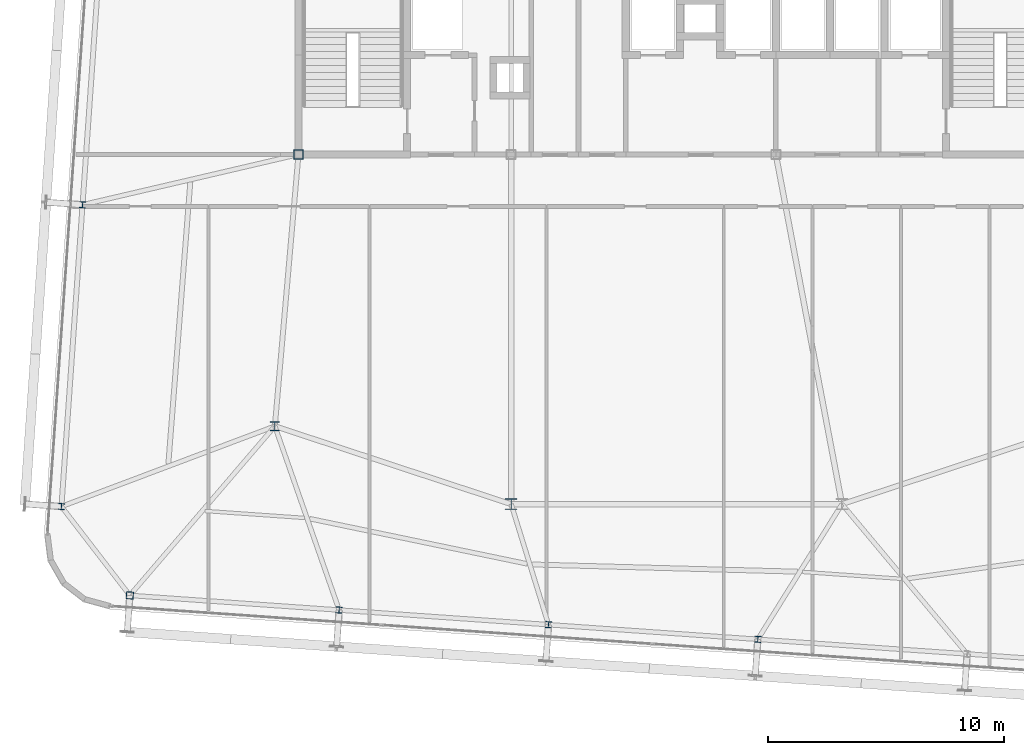
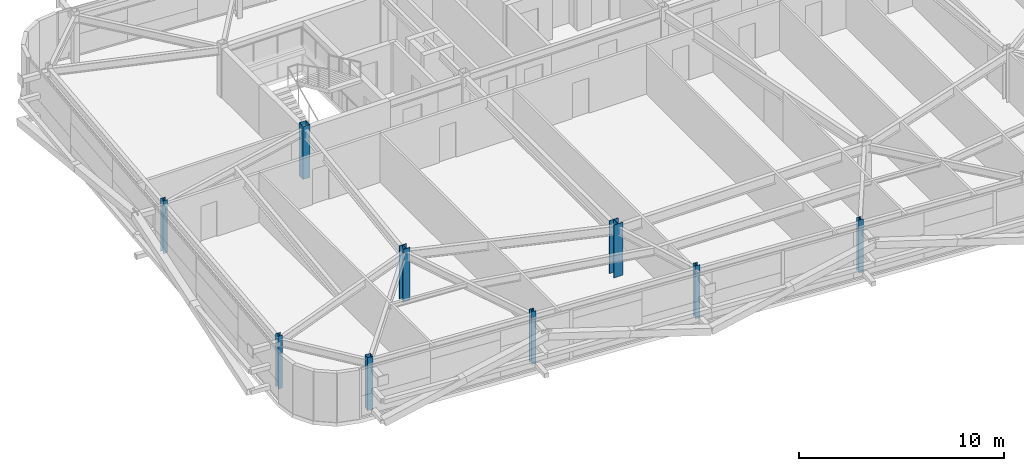
# One storey, part 1 of 39: 9 columns.
"""IFC4 building model written with IfcOpenShell, lengths in metres."""

from ifc_helpers import new_model, si_unit, direction, frame, origin, origin_2d, place, context, subcontext, project, spatial, hollow_rectangle, i_section, extrude, source, transform, mapped, material, material_profile, profile_set, type_object, element, save


model = new_model("IFC4")

# Units and contexts
model_context = context("Model", 3, precision=1e-05, world=origin(), true_north=direction((0.0, 1.0)))
body_context = subcontext(model_context, "Body", "Model", "MODEL_VIEW")
ifc_project = project(units=[si_unit("LENGTHUNIT", "METRE"), si_unit("AREAUNIT", "SQUARE_METRE"), si_unit("VOLUMEUNIT", "CUBIC_METRE"), si_unit("PLANEANGLEUNIT", "RADIAN"), si_unit("MASSUNIT", "GRAM", prefix="KILO")], contexts=[model_context])

# Site, building, storey
site_placement = place(None, origin())
site = spatial("IfcSite", under=ifc_project, at=site_placement, CompositionType="ELEMENT")
building_placement = place(site_placement, origin())
building = spatial("IfcBuilding", under=site, at=building_placement, Name="Taldren Reach Tower", CompositionType="ELEMENT")
storey_placement = place(building_placement, frame((0.0, 0.0, 133.0)))
storey = spatial("IfcBuildingStorey", under=building, at=storey_placement, Name="L40", CompositionType="ELEMENT", Elevation=133.0)

# Columns
ifc_material_1 = material(Name="Steel Gr 350 (350PLUS)", Category="steel")
ifc_material_profile_1 = material_profile(ifc_material_1, i_section(OverallWidth=0.39990234375, OverallDepth=0.39599609375, WebThickness=0.02197265625, FlangeThickness=0.033935546875, at=origin_2d()), Name="400WC270")
ifc_profile_set_1 = profile_set([ifc_material_profile_1], Name="Steel Gr 350 (350PLUS)")
column_type_1 = type_object("IfcColumnType", Name="COL-WC400", PredefinedType="COLUMN", material=ifc_profile_set_1)
shared_shape_1 = source(origin(), body_context, "Body", "SweptSolid", [
    extrude(i_section(OverallWidth=0.39990234375, OverallDepth=0.39599609375, WebThickness=0.02197265625, FlangeThickness=0.033935546875, at=origin_2d()), origin(), (0.0, 0.0, 1.0), 3.14990234375),
])
column_1_placement = place(storey_placement, frame((18.0, 12.5, 0.0), z_axis=(0.0, 0.0, 1.0), x_axis=(1.0, 0.0, 0.0)))
element("IfcColumn", 1, at=column_1_placement, inside=storey, type_object=column_type_1, Name="Mega column MC-SW L40", PredefinedType="COLUMN", context=body_context, shape_type="MappedRepresentation", body=[
    mapped(shared_shape_1, transform((0.0, 0.0, 0.0), scale=1.0)),
])
ifc_material_profile_2 = material_profile(ifc_material_1, i_section(OverallWidth=0.5, OverallDepth=0.464111328125, WebThickness=0.02197265625, FlangeThickness=0.033935546875, at=origin_2d()), Name="500WC340")
ifc_profile_set_2 = profile_set([ifc_material_profile_2], Name="Steel Gr 350 (350PLUS)")
column_type_2 = type_object("IfcColumnType", Name="COL-WC500B", PredefinedType="COLUMN", material=ifc_profile_set_2)
shared_shape_2 = source(origin(), body_context, "Body", "SweptSolid", [
    extrude(i_section(OverallWidth=0.5, OverallDepth=0.464111328125, WebThickness=0.02197265625, FlangeThickness=0.033935546875, at=origin_2d()), origin(), (0.0, 0.0, 1.0), 3.14990234375),
])
column_2_placement = place(storey_placement, frame((28.0, 9.199951171875, 0.0), z_axis=(0.0, 0.0, 1.0), x_axis=(1.0, 0.0, 0.0)))
element("IfcColumn", 2, at=column_2_placement, inside=storey, type_object=column_type_2, Name="Mega column MC-PJW L40", PredefinedType="COLUMN", context=body_context, shape_type="MappedRepresentation", body=[
    mapped(shared_shape_2, transform((0.0, 0.0, 0.0), scale=1.0)),
])
ifc_material_2 = material(Name="Steel Gr 450 (C450L0)", Category="steel")
ifc_material_profile_3 = material_profile(ifc_material_2, hollow_rectangle(XDim=0.39990234375, YDim=0.39990234375, WallThickness=0.01611328125, at=origin_2d()), Name="400x400x16.0SHS")
ifc_profile_set_3 = profile_set([ifc_material_profile_3], Name="Steel Gr 450 (C450L0)")
column_type_3 = type_object("IfcColumnType", Name="COL-SHS400", PredefinedType="COLUMN", material=ifc_profile_set_3)
shared_shape_3 = source(origin(), body_context, "Body", "SweptSolid", [
    extrude(hollow_rectangle(XDim=0.39990234375, YDim=0.39990234375, WallThickness=0.01611328125, at=origin_2d()), origin(), (0.0, 0.0, 1.0), 3.14990234375),
])
column_3_placement = place(storey_placement, frame((19.0, 24.0, 0.0), z_axis=(0.0, 0.0, 1.0), x_axis=(1.0, 0.0, 0.0)))
element("IfcColumn", 3, at=column_3_placement, inside=storey, type_object=column_type_3, Name="Mega column MC-C1 L40", PredefinedType="COLUMN", context=body_context, shape_type="MappedRepresentation", body=[
    mapped(shared_shape_3, transform((0.0, 0.0, 0.0), scale=1.0)),
])
ifc_material_profile_4 = material_profile(ifc_material_2, hollow_rectangle(XDim=0.300048828125, YDim=0.300048828125, WallThickness=0.012451171875, at=origin_2d()), Name="300x300x12.5SHS")
ifc_profile_set_4 = profile_set([ifc_material_profile_4], Name="Steel Gr 450 (C450L0)")
column_type_4 = type_object("IfcColumnType", Name="COL-SHS300", PredefinedType="COLUMN", material=ifc_profile_set_4)
shared_shape_4 = source(origin(), body_context, "Body", "SweptSolid", [
    extrude(hollow_rectangle(XDim=0.300048828125, YDim=0.300048828125, WallThickness=0.012451171875, at=origin_2d()), origin(), (0.0, 0.0, 1.0), 3.14990234375),
])
column_4_placement = place(storey_placement, frame((11.863525390625, 5.33837890625, 0.0), z_axis=(0.0, 0.0, 1.0), x_axis=(0.99756405026, -0.069756473744, 0.0)))
element("IfcColumn", 4, at=column_4_placement, inside=storey, type_object=column_type_4, Name="Block B3 perimeter column S1 L40", PredefinedType="COLUMN", context=body_context, shape_type="MappedRepresentation", body=[
    mapped(shared_shape_4, transform((0.0, 0.0, 0.0), scale=1.0)),
])
ifc_material_profile_5 = material_profile(ifc_material_1, i_section(OverallWidth=0.256103515625, OverallDepth=0.260009765625, WebThickness=0.010498046875, FlangeThickness=0.017333984375, at=origin_2d()), Name="250UC89.5")
ifc_profile_set_5 = profile_set([ifc_material_profile_5], Name="Steel Gr 350 (350PLUS)")
column_type_5 = type_object("IfcColumnType", Name="COL-UC250", PredefinedType="COLUMN", material=ifc_profile_set_5)
shared_shape_5 = source(origin(), body_context, "Body", "SweptSolid", [
    extrude(i_section(OverallWidth=0.256103515625, OverallDepth=0.260009765625, WebThickness=0.010498046875, FlangeThickness=0.017333984375, at=origin_2d()), origin(), (0.0, 0.0, 1.0), 3.14990234375),
])
for number, where, z_axis, x_axis, name in (
    (5, (20.721923828125, 4.718994140625, 0.0), (0.0, 0.0, 1.0), (0.99756405026, -0.069756473744, 0.0), "Block B3 perimeter column S2 L40"),
    (6, (29.580322265625, 4.099609375, 0.0), (0.0, 0.0, 1.0), (0.99756405026, -0.069756473744, 0.0), "Block B3 perimeter column S3 L40"),
    (7, (38.438720703125, 3.480224609375, 0.0), (0.0, 0.0, 1.0), (0.99756405026, -0.069756473744, 0.0), "Block B3 perimeter column S4 L40"),
    (8, (8.96875, 9.099609375, 0.0), (0.0, 0.0, 1.0), (0.99756405026, -0.069756473744, 0.0), "Block B3 perimeter column W1 L40"),
    (9, (9.86181640625, 21.868408203125, 0.0), (0.0, 0.0, 1.0), (0.99756405026, -0.069756473744, 0.0), "Block B3 perimeter column W2 L40"),
):
    element("IfcColumn", number, at=place(storey_placement, frame(where, z_axis=z_axis, x_axis=x_axis)), inside=storey, type_object=column_type_5, Name=name, PredefinedType="COLUMN", context=body_context, shape_type="MappedRepresentation", body=[
        mapped(shared_shape_5, transform((0.0, 0.0, 0.0), scale=1.0)),
    ])

save(model, "model.ifc")
